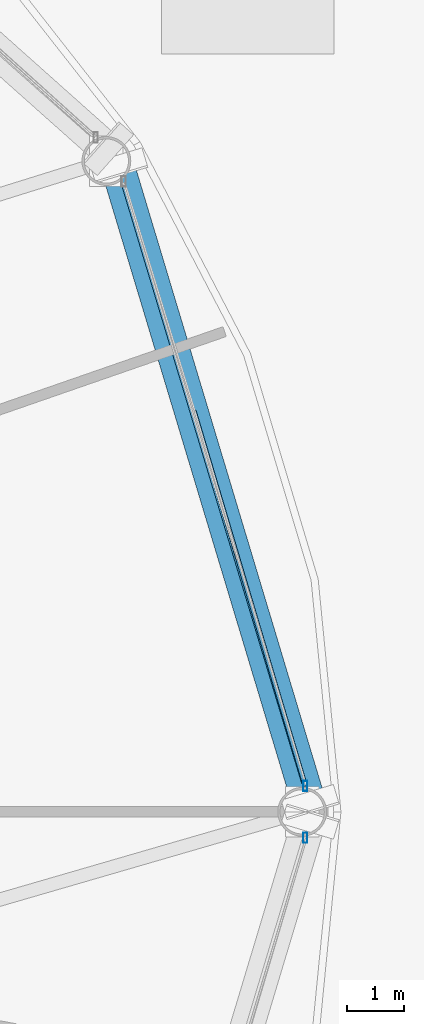
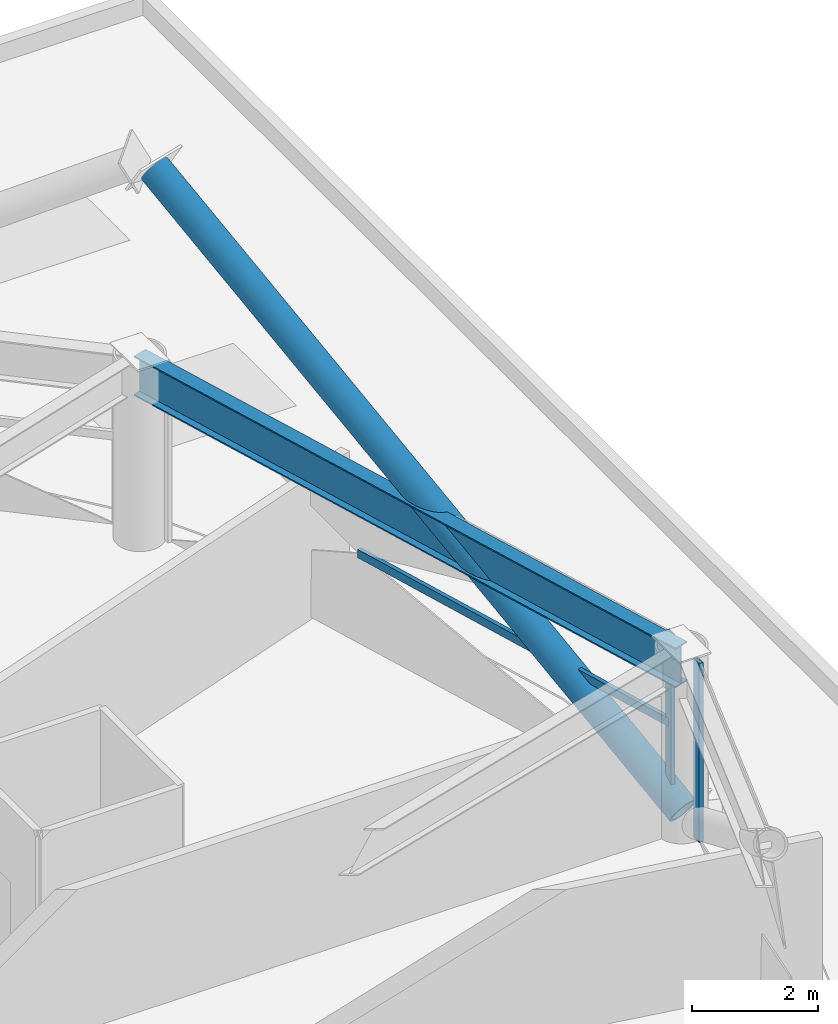
# One storey, part 11 of 27: 4 members, 1 beam, 2 elements without a shape of their own.
"""IFC4 building model written with IfcOpenShell, lengths in metres."""

from ifc_helpers import new_model, si_unit, direction, frame, origin, origin_2d, place, context, subcontext, project, spatial, hollow_rectangle, hollow_circle, i_section, extrude, material, layer, layer_set, material_profile, profile_set, type_object, element, aggregate, save


model = new_model("IFC4")

# Units and contexts
model_context = context("Model", 3, precision=1e-05, world=origin(), true_north=direction((0.0, 1.0)))
body_context = subcontext(model_context, "Body", "Model", "MODEL_VIEW")
ifc_project = project(units=[si_unit("LENGTHUNIT", "METRE"), si_unit("AREAUNIT", "SQUARE_METRE"), si_unit("VOLUMEUNIT", "CUBIC_METRE"), si_unit("PLANEANGLEUNIT", "RADIAN"), si_unit("MASSUNIT", "GRAM", prefix="KILO")], contexts=[model_context])

# Site, building, storey
site_placement = place(None, origin())
site = spatial("IfcSite", under=ifc_project, at=site_placement, CompositionType="ELEMENT")
building_placement = place(site_placement, origin())
building = spatial("IfcBuilding", under=site, at=building_placement, Name="Vantalir Tower", CompositionType="ELEMENT")
storey_placement = place(building_placement, frame((0.0, 0.0, 27.0)))
storey = spatial("IfcBuildingStorey", under=building, at=storey_placement, Name="L05", CompositionType="ELEMENT", Elevation=27.0)

# Beam
ifc_material_1 = material(Name="Steel S460", Category="steel")
ifc_material_profile_1 = material_profile(ifc_material_1, i_section(OverallWidth=0.26806640625, OverallDepth=0.77001953125, WebThickness=0.015625, FlangeThickness=0.025390625, at=origin_2d()), Name="Steel S460")
ifc_profile_set_1 = profile_set([ifc_material_profile_1], Name="Steel S460")
beam_type = type_object("IfcBeamType", Name="BM-RG-762x267", PredefinedType="USERDEFINED", material=ifc_profile_set_1)
beam_placement = place(storey_placement, frame((56.949951171875, 25.0, 3.18505859375), z_axis=(-0.288146508643, 0.957586335302, 0.0), x_axis=(-0.957586335302, -0.288146508643, 0.0)))
element("IfcBeam", 1, at=beam_placement, inside=storey, type_object=beam_type, Name="L05 Circumferential Ring Girder 01", ObjectType="GIRDER", PredefinedType="USERDEFINED", context=body_context, shape_type="SweptSolid", body=[
    extrude(i_section(OverallWidth=0.26806640625, OverallDepth=0.77001953125, WebThickness=0.015625, FlangeThickness=0.025390625, at=origin_2d()), origin(), (0.0, 0.0, 1.0), 11.833984375),
])

# Curtain wall, member
ifc_material_2 = material(Name="Champagne-silver PVDF aluminium and double-silver Low-E glass", Category="aluminium")
ifc_layer = layer(ifc_material_2, 0.18994140625)
ifc_layer_set = layer_set([ifc_layer], Name="Champagne-silver PVDF aluminium and double-silver Low-E glass")
curtain_wall_type = type_object("IfcCurtainWallType", Name="CW-DIAMOND-Z1", PredefinedType="USERDEFINED", material=ifc_layer_set)
curtain_wall_1_placement = place(storey_placement, origin())
curtain_wall_1 = element("IfcCurtainWall", 2, at=curtain_wall_1_placement, inside=storey, type_object=curtain_wall_type, Name="L05 Quilted Pyramid-Diamond Curtain Wall S01", ObjectType="UNITISED CURTAIN WALL", PredefinedType="USERDEFINED")
ifc_material_3 = material(Name="Champagne-silver PVDF aluminium 6063-T6", Category="aluminium")
ifc_material_profile_2 = material_profile(ifc_material_3, hollow_rectangle(XDim=0.074951171875, YDim=0.179931640625, WallThickness=0.00390625, at=origin_2d()), Name="Champagne-silver PVDF aluminium 6063-T6")
ifc_profile_set_2 = profile_set([ifc_material_profile_2], Name="Champagne-silver PVDF aluminium 6063-T6")
member_type_1 = type_object("IfcMemberType", Name="CWM-180x75", PredefinedType="MULLION", material=ifc_profile_set_2)
member_1_placement = place(storey_placement, frame((57.0048828125, 25.449951171875, 0.044921875), z_axis=(0.0, 0.0, 1.0), x_axis=(1.0, 0.0, 0.0)))
member_1 = element("IfcMember", 3, at=member_1_placement, type_object=member_type_1, Name="CW-L05-S01 Mullion 1", PredefinedType="MULLION", context=body_context, shape_type="SweptSolid", body=[
    extrude(hollow_rectangle(XDim=0.074951171875, YDim=0.179931640625, WallThickness=0.00390625, at=origin_2d()), origin(), (0.0, 0.0, 1.0), 3.47998046875),
])

curtain_wall_2_placement = place(storey_placement, origin())
curtain_wall_2 = element("IfcCurtainWall", 4, at=curtain_wall_2_placement, inside=storey, type_object=curtain_wall_type, Name="L05 Quilted Pyramid-Diamond Curtain Wall S12", ObjectType="UNITISED CURTAIN WALL", PredefinedType="USERDEFINED")
member_2_placement = place(storey_placement, frame((57.0048828125, 24.550048828125, 0.044921875), z_axis=(0.0, 0.0, 1.0), x_axis=(1.0, 0.0, 0.0)))
member_2 = element("IfcMember", 5, at=member_2_placement, type_object=member_type_1, Name="CW-L05-S12 Mullion 2", PredefinedType="MULLION", context=body_context, shape_type="SweptSolid", body=[
    extrude(hollow_rectangle(XDim=0.074951171875, YDim=0.179931640625, WallThickness=0.00390625, at=origin_2d()), origin(), (0.0, 0.0, 1.0), 3.47998046875),
])
aggregate(curtain_wall_2, [member_2])

# Member
ifc_material_profile_3 = material_profile(ifc_material_3, hollow_rectangle(XDim=0.074951171875, YDim=0.159912109375, WallThickness=0.00390625, at=origin_2d()), Name="Champagne-silver PVDF aluminium 6063-T6")
ifc_profile_set_3 = profile_set([ifc_material_profile_3], Name="Champagne-silver PVDF aluminium 6063-T6")
member_type_2 = type_object("IfcMemberType", Name="CWT-160x75", PredefinedType="USERDEFINED", material=ifc_profile_set_3)
member_3_placement = place(storey_placement, frame((57.0048828125, 25.449951171875, 1.784912109375), z_axis=(-0.2844907833, 0.958678775303, 0.0), x_axis=(-0.958678775303, -0.2844907833, 0.0)))
member_3 = element("IfcMember", 6, at=member_3_placement, type_object=member_type_2, Name="CW-L05-S01 Pyramid Fold Ridge Transom", ObjectType="TRANSOM", PredefinedType="USERDEFINED", context=body_context, shape_type="SweptSolid", body=[
    extrude(hollow_rectangle(XDim=0.074951171875, YDim=0.159912109375, WallThickness=0.00390625, at=origin_2d()), origin(), (0.0, 0.0, 1.0), 6.815673828125),
])

aggregate(curtain_wall_1, [member_1, member_3])

ifc_material_profile_4 = material_profile(ifc_material_1, hollow_circle(Radius=0.27001953125, WallThickness=0.044921875, at=origin_2d()), Name="Steel S460")
ifc_profile_set_4 = profile_set([ifc_material_profile_4], Name="Steel S460")
member_type_3 = type_object("IfcMemberType", Name="MEM-DB-540x45", PredefinedType="BRACE", material=ifc_profile_set_4)
member_4_placement = place(storey_placement, frame((57.0859375, 25.180908203125, 0.193115234375), z_axis=(-0.246888376659, 0.821143457496, 0.514557627173), x_axis=(-0.957651062423, -0.287931315836, 0.0)))
element("IfcMember", 7, at=member_4_placement, inside=storey, type_object=member_type_3, Name="L05 Perimeter S460 Diagrid Brace R01L", PredefinedType="BRACE", context=body_context, shape_type="SweptSolid", body=[
    extrude(hollow_circle(Radius=0.27001953125, WallThickness=0.044921875, at=origin_2d()), origin(), (0.0, 0.0, 1.0), 13.475341796875),
])

save(model, "model.ifc")
